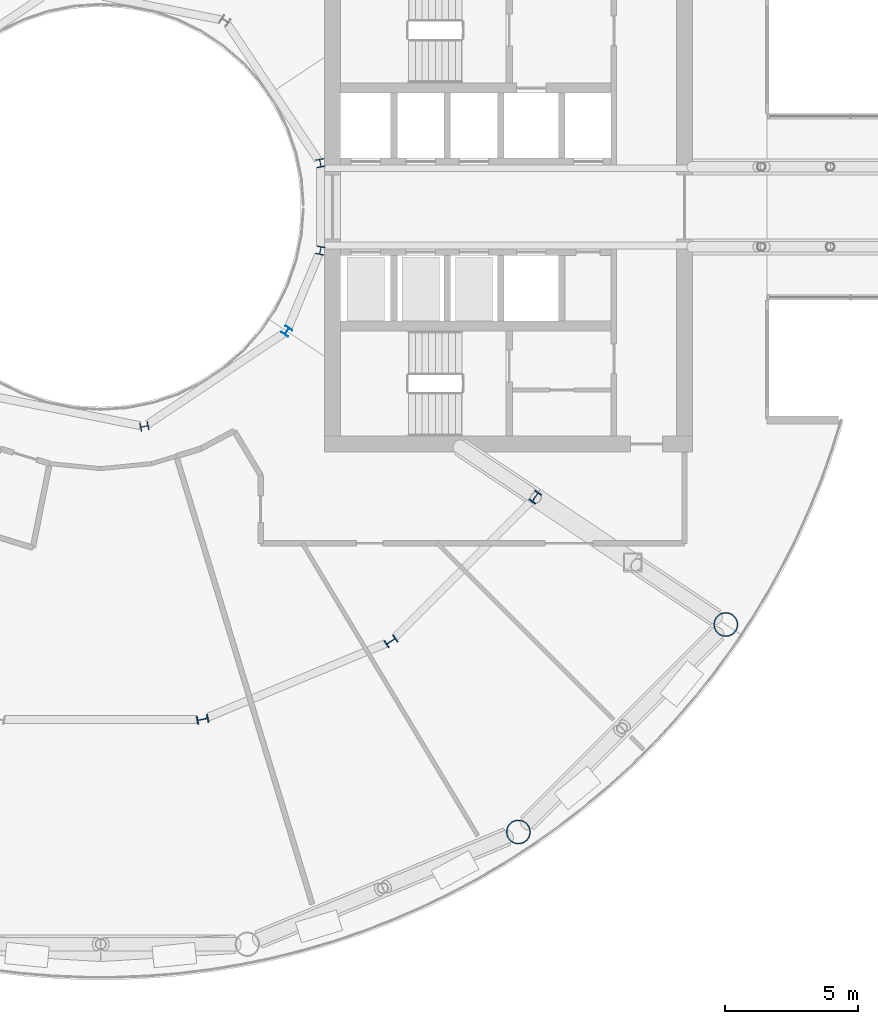
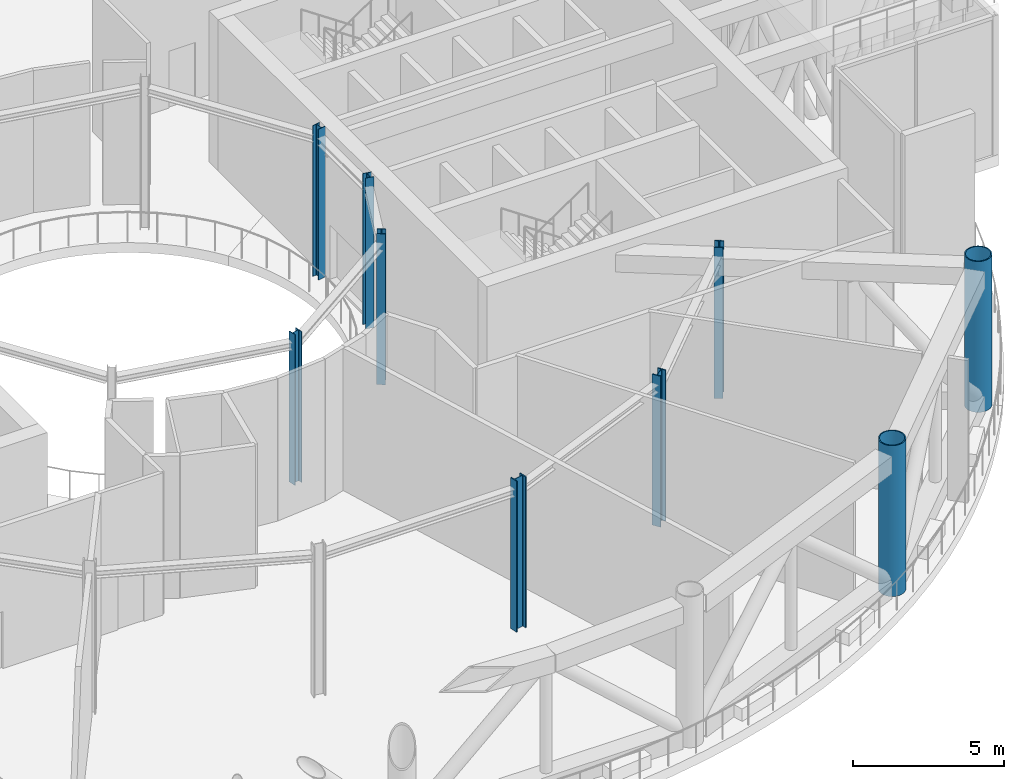
# One storey, part 2 of 25: 9 columns.
"""IFC4 building model written with IfcOpenShell, lengths in metres."""

from ifc_helpers import new_model, si_unit, direction, frame, origin, origin_2d, place, context, subcontext, project, spatial, hollow_circle, i_section, extrude, material, material_profile, profile_set, type_object, element, save


model = new_model("IFC4")

# Units and contexts
model_context = context("Model", 3, precision=1e-05, world=origin(), true_north=direction((0.0, 1.0)))
body_context = subcontext(model_context, "Body", "Model", "MODEL_VIEW")
ifc_project = project(units=[si_unit("LENGTHUNIT", "METRE"), si_unit("AREAUNIT", "SQUARE_METRE"), si_unit("VOLUMEUNIT", "CUBIC_METRE"), si_unit("PLANEANGLEUNIT", "RADIAN"), si_unit("MASSUNIT", "GRAM", prefix="KILO")], contexts=[model_context])

# Site, building, storey
site_placement = place(None, origin())
site = spatial("IfcSite", under=ifc_project, at=site_placement, CompositionType="ELEMENT")
building_placement = place(site_placement, origin())
building = spatial("IfcBuilding", under=site, at=building_placement, Name="Maasbend Ring Residences", CompositionType="ELEMENT")
storey_placement = place(building_placement, frame((0.0, 0.0, 139.10009765625)))
storey = spatial("IfcBuildingStorey", under=building, at=storey_placement, Name="L40", CompositionType="ELEMENT", Elevation=139.10009765625)

# Columns
ifc_material_1 = material(Name="Composite concrete-filled steel tube S460NH / C80/95", Category="concrete")
ifc_material_profile_1 = material_profile(ifc_material_1, hollow_circle(Radius=0.45703125, WallThickness=0.0400390625, at=origin_2d()), Name="Composite tube column CHS 914x40")
ifc_profile_set_1 = profile_set([ifc_material_profile_1], Name="Composite concrete-filled steel tube S460NH / C80/95")
column_type_1 = type_object("IfcColumnType", Name="Composite tube column CHS 914x40", PredefinedType="COLUMN", material=ifc_profile_set_1)
for number, where, z_axis, x_axis, name in (
    (1, (15.6669921875, -23.447509765625, 0.0), (0.0, 0.0, 1.0), (1.0, 0.0, 0.0), "Outer column R14"),
    (2, (23.447509765625, -15.6669921875, 0.0), (0.0, 0.0, 1.0), (1.0, 0.0, 0.0), "Outer column R15"),
):
    element("IfcColumn", number, at=place(storey_placement, frame(where, z_axis=z_axis, x_axis=x_axis)), inside=storey, type_object=column_type_1, Name=name, PredefinedType="COLUMN", context=body_context, shape_type="SweptSolid", body=[
        extrude(hollow_circle(Radius=0.45703125, WallThickness=0.0400390625, at=origin_2d()), origin(), (0.0, 0.0, 1.0), 6.099853515625),
    ])
ifc_material_2 = material(Name="Steel S355J2", Category="steel")
ifc_material_profile_2 = material_profile(ifc_material_2, i_section(OverallWidth=0.300048828125, OverallDepth=0.300048828125, WebThickness=0.010986328125, FlangeThickness=0.01904296875, FilletRadius=0.027099609375, at=origin_2d()), Name="HEB 300")
ifc_profile_set_2 = profile_set([ifc_material_profile_2], Name="Steel S355J2")
column_type_2 = type_object("IfcColumnType", Name="Steel column HEB 300", PredefinedType="COLUMN", material=ifc_profile_set_2)
for number, where, z_axis, x_axis, name in (
    (3, (8.238525390625, 1.638916015625, 0.0), (0.0, 0.0, 1.0), (0.980785280403, 0.195090322016, 0.0), "Well ring column R1"),
    (4, (1.638916015625, -8.238525390625, 0.0), (0.0, 0.0, 1.0), (0.195090322016, -0.980785280403, 0.0), "Well ring column R13"),
    (5, (6.984375, -4.666748046875, 0.0), (0.0, 0.0, 1.0), (0.831469612303, -0.55557023302, 0.0), "Well ring column R15"),
    (6, (8.238525390625, -1.638916015625, 0.0), (0.0, 0.0, 1.0), (0.980785280403, -0.195090322016, 0.0), "Well ring column R16"),
):
    element("IfcColumn", number, at=place(storey_placement, frame(where, z_axis=z_axis, x_axis=x_axis)), inside=storey, type_object=column_type_2, Name=name, PredefinedType="COLUMN", context=body_context, shape_type="SweptSolid", body=[
        extrude(i_section(OverallWidth=0.300048828125, OverallDepth=0.300048828125, WebThickness=0.010986328125, FlangeThickness=0.01904296875, FilletRadius=0.027099609375, at=origin_2d()), origin(), (0.0, 0.0, 1.0), 6.099853515625),
    ])
ifc_material_3 = material(Name="Steel S460M", Category="steel")
ifc_material_profile_3 = material_profile(ifc_material_3, i_section(OverallWidth=0.306884765625, OverallDepth=0.431884765625, WebThickness=0.02099609375, FlangeThickness=0.0400390625, FilletRadius=0.027099609375, at=origin_2d()), Name="HEM 400")
ifc_profile_set_3 = profile_set([ifc_material_profile_3], Name="Steel S460M")
column_type_3 = type_object("IfcColumnType", Name="Steel column HEM 400", PredefinedType="COLUMN", material=ifc_profile_set_3)
for number, where, z_axis, x_axis, name in (
    (7, (3.82373046875, -19.223388671875, 0.0), (0.0, 0.0, 1.0), (0.195090322016, -0.980785280403, 0.0), "Corridor ring column R13"),
    (8, (10.88916015625, -16.296875, 0.0), (0.0, 0.0, 1.0), (0.55557023302, -0.831469612303, 0.0), "Corridor ring column R14"),
    (9, (16.296875, -10.88916015625, 0.0), (0.0, 0.0, 1.0), (0.831469612303, -0.55557023302, 0.0), "Corridor ring column R15"),
):
    element("IfcColumn", number, at=place(storey_placement, frame(where, z_axis=z_axis, x_axis=x_axis)), inside=storey, type_object=column_type_3, Name=name, PredefinedType="COLUMN", context=body_context, shape_type="SweptSolid", body=[
        extrude(i_section(OverallWidth=0.306884765625, OverallDepth=0.431884765625, WebThickness=0.02099609375, FlangeThickness=0.0400390625, FilletRadius=0.027099609375, at=origin_2d()), origin(), (0.0, 0.0, 1.0), 6.099853515625),
    ])

save(model, "model.ifc")
